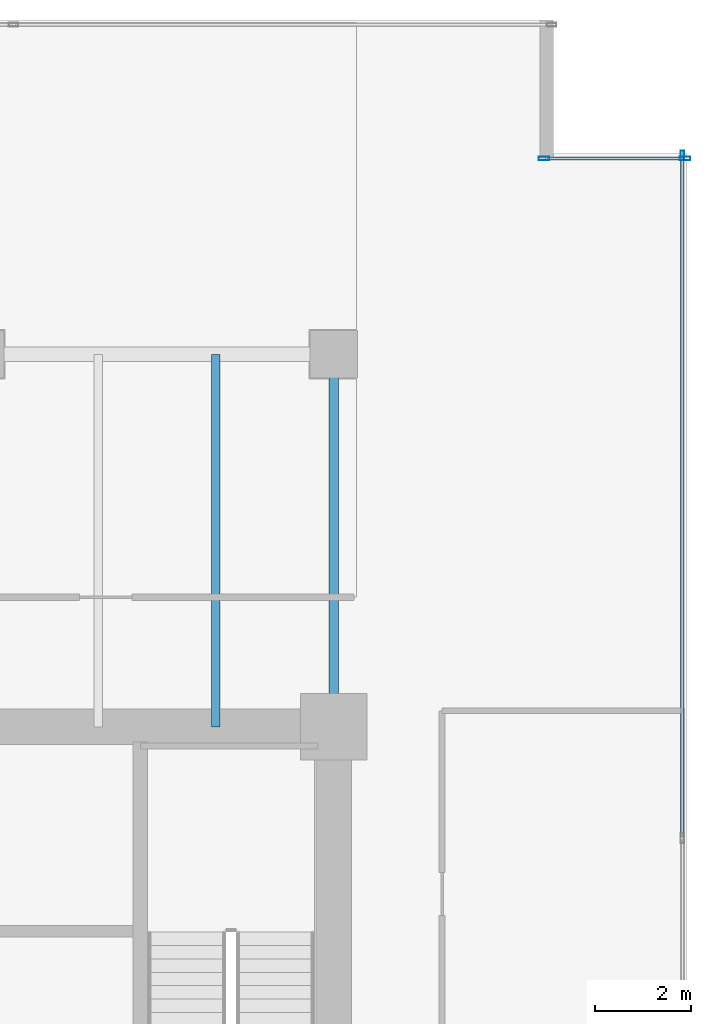
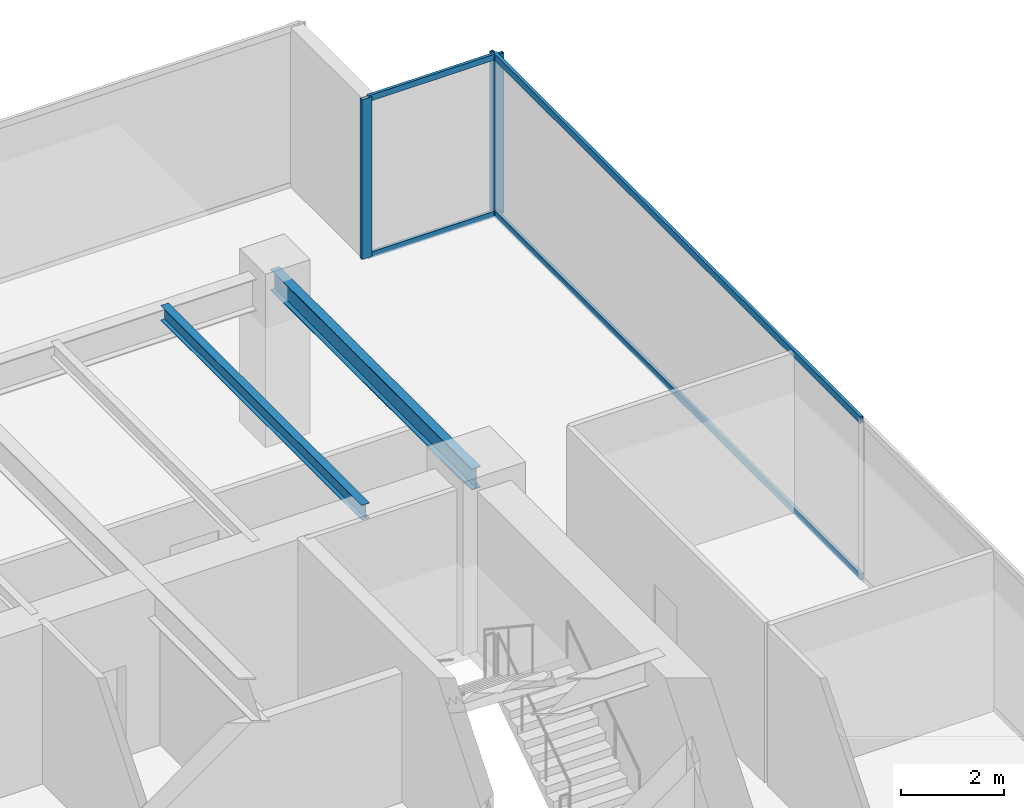
# One storey, part 26 of 36: 7 members, 2 beams, 2 elements without a shape of their own.
"""IFC4 building model written with IfcOpenShell, lengths in metres."""

from ifc_helpers import new_model, si_unit, direction, frame, origin, origin_2d, place, context, subcontext, project, spatial, hollow_rectangle, i_section, extrude, source, transform, mapped, material, layer, layer_set, material_profile, profile_set, type_object, type_shapes, element, aggregate, save


model = new_model("IFC4")

# Units and contexts
model_context = context("Model", 3, precision=1e-05, world=origin(), true_north=direction((0.0, 1.0)))
body_context = subcontext(model_context, "Body", "Model", "MODEL_VIEW")
ifc_project = project(units=[si_unit("LENGTHUNIT", "METRE"), si_unit("AREAUNIT", "SQUARE_METRE"), si_unit("VOLUMEUNIT", "CUBIC_METRE"), si_unit("PLANEANGLEUNIT", "RADIAN"), si_unit("MASSUNIT", "GRAM", prefix="KILO")], contexts=[model_context])

# Site, building, storey
site_placement = place(None, origin())
site = spatial("IfcSite", under=ifc_project, at=site_placement, CompositionType="ELEMENT")
building_placement = place(site_placement, origin())
building = spatial("IfcBuilding", under=site, at=building_placement, Name="Haelvirn Gate Laboratories", CompositionType="ELEMENT")
storey_placement = place(building_placement, frame((0.0, 0.0, 53.89990234375)))
storey = spatial("IfcBuildingStorey", under=building, at=storey_placement, Name="L13", CompositionType="ELEMENT", Elevation=53.89990234375)

# Beams
ifc_material_1 = material(Name="Steel SM355", Category="steel")
ifc_material_profile_1 = material_profile(ifc_material_1, i_section(OverallWidth=0.199951171875, OverallDepth=0.5, WebThickness=0.010009765625, FlangeThickness=0.01611328125, at=origin_2d()), Name="H-500x200x10x16")
ifc_profile_set_1 = profile_set([ifc_material_profile_1], Name="Steel SM355")
beam_type_1 = type_object("IfcBeamType", Name="BM-SP-500", PredefinedType="SPANDREL", material=ifc_profile_set_1)
shared_shape_1 = source(origin(), body_context, "Body", "SweptSolid", [
    extrude(i_section(OverallWidth=0.199951171875, OverallDepth=0.5, WebThickness=0.010009765625, FlangeThickness=0.01611328125, at=origin_2d()), origin(), (0.0, 0.0, 1.0), 7.800048828125),
])
type_shapes(beam_type_1, [shared_shape_1])
beam_1_placement = place(storey_placement, frame((67.39990234375, 33.800048828125, 3.530029296875), z_axis=(0.0, 1.0, 0.0), x_axis=(-1.0, 0.0, 0.0)))
element("IfcBeam", 1, at=beam_1_placement, inside=storey, type_object=beam_type_1, Name="L13 Perimeter Spandrel X67.4 (33.8-41.6)", PredefinedType="SPANDREL", context=body_context, shape_type="MappedRepresentation", body=[
    mapped(shared_shape_1, transform((0.0, 0.0, 0.0), scale=1.0)),
])
ifc_material_profile_2 = material_profile(ifc_material_1, i_section(OverallWidth=0.175048828125, OverallDepth=0.35009765625, WebThickness=0.007080078125, FlangeThickness=0.010986328125, at=origin_2d()), Name="H-350x175x7x11")
ifc_profile_set_2 = profile_set([ifc_material_profile_2], Name="Steel SM355")
beam_type_2 = type_object("IfcBeamType", Name="BM-J-350", PredefinedType="JOIST", material=ifc_profile_set_2)
shared_shape_2 = source(origin(), body_context, "Body", "SweptSolid", [
    extrude(i_section(OverallWidth=0.175048828125, OverallDepth=0.35009765625, WebThickness=0.007080078125, FlangeThickness=0.010986328125, at=origin_2d()), origin(), (0.0, 0.0, 1.0), 7.800048828125),
])
type_shapes(beam_type_2, [shared_shape_2])
beam_2_placement = place(storey_placement, frame((64.929931640625, 33.800048828125, 3.60498046875), z_axis=(0.0, 1.0, 0.0), x_axis=(-1.0, 0.0, 0.0)))
element("IfcBeam", 2, at=beam_2_placement, inside=storey, type_object=beam_type_2, Name="L13 Composite Lab Joist North X64.93", PredefinedType="JOIST", context=body_context, shape_type="MappedRepresentation", body=[
    mapped(shared_shape_2, transform((0.0, 0.0, 0.0), scale=1.0)),
])

# Curtain wall, member
ifc_material_2 = material(Name="Anodised bronze unitised aluminium & triple low-E glass", Category="aluminium")
ifc_layer_1 = layer(ifc_material_2, 0.18408203125, Name="CW-SYS-2")
ifc_layer_set_1 = layer_set([ifc_layer_1], Name="Anodised bronze unitised aluminium & triple low-E glass")
curtain_wall_type_1 = type_object("IfcCurtainWallType", Name="CW-SYS-2", PredefinedType="NOTDEFINED", material=ifc_layer_set_1)
curtain_wall_1_placement = place(storey_placement, origin())
curtain_wall_1 = element("IfcCurtainWall", 3, at=curtain_wall_1_placement, inside=storey, type_object=curtain_wall_type_1, Name="L13 Unitised Curtain Wall CW-L13-P0-E07", PredefinedType="NOTDEFINED")
ifc_material_3 = material(Name="Extruded aluminium 6063-T6 (anodised bronze)", Category="aluminium")
ifc_material_profile_3 = material_profile(ifc_material_3, hollow_rectangle(XDim=0.074951171875, YDim=0.199951171875, WallThickness=0.0048828125, at=origin_2d()), Name="CWM-200x75x5")
ifc_profile_set_3 = profile_set([ifc_material_profile_3], Name="Extruded aluminium 6063-T6 (anodised bronze)")
member_type_1 = type_object("IfcMemberType", Name="CWM-T200", PredefinedType="MULLION", material=ifc_profile_set_3)
shared_shape_3 = source(origin(), body_context, "Body", "SweptSolid", [
    extrude(hollow_rectangle(XDim=0.074951171875, YDim=0.199951171875, WallThickness=0.0048828125, at=origin_2d()), origin(), (0.0, 0.0, 1.0), 3.780029296875),
])
type_shapes(member_type_1, [shared_shape_3])
member_1_placement = place(storey_placement, frame((74.699951171875, 45.762451171875, 0.0), z_axis=(0.0, 0.0, 1.0), x_axis=(-1.0, 0.0, 0.0)))
member_1 = element("IfcMember", 4, at=member_1_placement, type_object=member_type_1, Name="CW2 mullion 4", PredefinedType="MULLION", context=body_context, shape_type="MappedRepresentation", body=[
    mapped(shared_shape_3, transform((0.0, 0.0, 0.0), scale=1.0)),
])

# Curtain wall, members
ifc_layer_2 = layer(ifc_material_2, 0.181884765625, Name="CW-SYS-5")
ifc_layer_set_2 = layer_set([ifc_layer_2], Name="Anodised bronze unitised aluminium & triple low-E glass")
curtain_wall_type_2 = type_object("IfcCurtainWallType", Name="CW-SYS-5", PredefinedType="NOTDEFINED", material=ifc_layer_set_2)
curtain_wall_2_placement = place(storey_placement, origin())
curtain_wall_2 = element("IfcCurtainWall", 5, at=curtain_wall_2_placement, inside=storey, type_object=curtain_wall_type_2, Name="L13 Unitised Curtain Wall CW-L13-P0-E08-1", PredefinedType="NOTDEFINED")
ifc_material_profile_4 = material_profile(ifc_material_3, hollow_rectangle(XDim=0.080078125, YDim=0.219970703125, WallThickness=0.006103515625, at=origin_2d()), Name="CWM-220x80x6")
ifc_profile_set_4 = profile_set([ifc_material_profile_4], Name="Extruded aluminium 6063-T6 (anodised bronze)")
member_type_2 = type_object("IfcMemberType", Name="CWM-T220", PredefinedType="MULLION", material=ifc_profile_set_4)
shared_shape_4 = source(origin(), body_context, "Body", "SweptSolid", [
    extrude(hollow_rectangle(XDim=0.080078125, YDim=0.219970703125, WallThickness=0.006103515625, at=origin_2d()), origin(), (0.0, 0.0, 1.0), 3.780029296875),
])
type_shapes(member_type_2, [shared_shape_4])
member_2_placement = place(storey_placement, frame((71.800048828125, 45.699951171875, 0.0), z_axis=(0.0, 0.0, 1.0), x_axis=(0.0, 1.0, 0.0)))
member_2 = element("IfcMember", 6, at=member_2_placement, type_object=member_type_2, Name="CW5 mullion 1", PredefinedType="MULLION", context=body_context, shape_type="MappedRepresentation", body=[
    mapped(shared_shape_4, transform((0.0, 0.0, 0.0), scale=1.0)),
])
member_3_placement = place(storey_placement, frame((74.760009765625, 45.699951171875, 0.0), z_axis=(0.0, 0.0, 1.0), x_axis=(0.0, 1.0, 0.0)))
member_3 = element("IfcMember", 7, at=member_3_placement, type_object=member_type_2, Name="CW5 mullion 2", PredefinedType="MULLION", context=body_context, shape_type="MappedRepresentation", body=[
    mapped(shared_shape_4, transform((0.0, 0.0, 0.0), scale=1.0)),
])
ifc_material_profile_5 = material_profile(ifc_material_3, hollow_rectangle(XDim=0.06494140625, YDim=0.139892578125, WallThickness=0.00390625, at=origin_2d()), Name="CWT-140x65x4")
ifc_profile_set_5 = profile_set([ifc_material_profile_5], Name="Extruded aluminium 6063-T6 (anodised bronze)")
member_type_3 = type_object("IfcMemberType", Name="CWT-T140", PredefinedType="USERDEFINED", material=ifc_profile_set_5)
shared_shape_5 = source(origin(), body_context, "Body", "SweptSolid", [
    extrude(hollow_rectangle(XDim=0.06494140625, YDim=0.139892578125, WallThickness=0.00390625, at=origin_2d()), origin(), (0.0, 0.0, 1.0), 2.8798828125),
])
type_shapes(member_type_3, [shared_shape_5])
member_4_placement = place(storey_placement, frame((71.840087890625, 45.699951171875, 0.03271484375), z_axis=(1.0, 0.0, 0.0), x_axis=(0.0, 1.0, 0.0)))
member_4 = element("IfcMember", 8, at=member_4_placement, type_object=member_type_3, Name="CW5 transom 1.1", ObjectType="TRANSOM", PredefinedType="USERDEFINED", context=body_context, shape_type="MappedRepresentation", body=[
    mapped(shared_shape_5, transform((0.0, 0.0, 0.0), scale=1.0)),
])
member_5_placement = place(storey_placement, frame((71.840087890625, 45.699951171875, 3.74755859375), z_axis=(1.0, 0.0, 0.0), x_axis=(0.0, 1.0, 0.0)))
member_5 = element("IfcMember", 9, at=member_5_placement, type_object=member_type_3, Name="CW5 transom 1.2", ObjectType="TRANSOM", PredefinedType="USERDEFINED", context=body_context, shape_type="MappedRepresentation", body=[
    mapped(shared_shape_5, transform((0.0, 0.0, 0.0), scale=1.0)),
])
aggregate(curtain_wall_2, [member_2, member_3, member_4, member_5])

# Member
ifc_material_profile_6 = material_profile(ifc_material_3, hollow_rectangle(XDim=0.070068359375, YDim=0.159912109375, WallThickness=0.0048828125, at=origin_2d()), Name="CWT-160x70x5")
ifc_profile_set_6 = profile_set([ifc_material_profile_6], Name="Extruded aluminium 6063-T6 (anodised bronze)")
member_type_4 = type_object("IfcMemberType", Name="CWT-T160", PredefinedType="USERDEFINED", material=ifc_profile_set_6)
shared_shape_6 = source(origin(), body_context, "Body", "SweptSolid", [
    extrude(hollow_rectangle(XDim=0.070068359375, YDim=0.159912109375, WallThickness=0.0048828125, at=origin_2d()), origin(), (0.0, 0.0, 1.0), 14.220947265625),
])
type_shapes(member_type_4, [shared_shape_6])
member_6_placement = place(storey_placement, frame((74.699951171875, 31.504150390625, 0.03515625), z_axis=(0.0, 1.0, 0.0), x_axis=(-1.0, 0.0, 0.0)))
member_6 = element("IfcMember", 10, at=member_6_placement, type_object=member_type_4, Name="CW2 transom 3.1", ObjectType="TRANSOM", PredefinedType="USERDEFINED", context=body_context, shape_type="MappedRepresentation", body=[
    mapped(shared_shape_6, transform((0.0, 0.0, 0.0), scale=1.0)),
])

member_7_placement = place(storey_placement, frame((74.699951171875, 31.504150390625, 3.7451171875), z_axis=(0.0, 1.0, 0.0), x_axis=(-1.0, 0.0, 0.0)))
member_7 = element("IfcMember", 11, at=member_7_placement, type_object=member_type_4, Name="CW2 transom 3.2", ObjectType="TRANSOM", PredefinedType="USERDEFINED", context=body_context, shape_type="MappedRepresentation", body=[
    mapped(shared_shape_6, transform((0.0, 0.0, 0.0), scale=1.0)),
])

aggregate(curtain_wall_1, [member_1, member_6, member_7])

save(model, "model.ifc")
